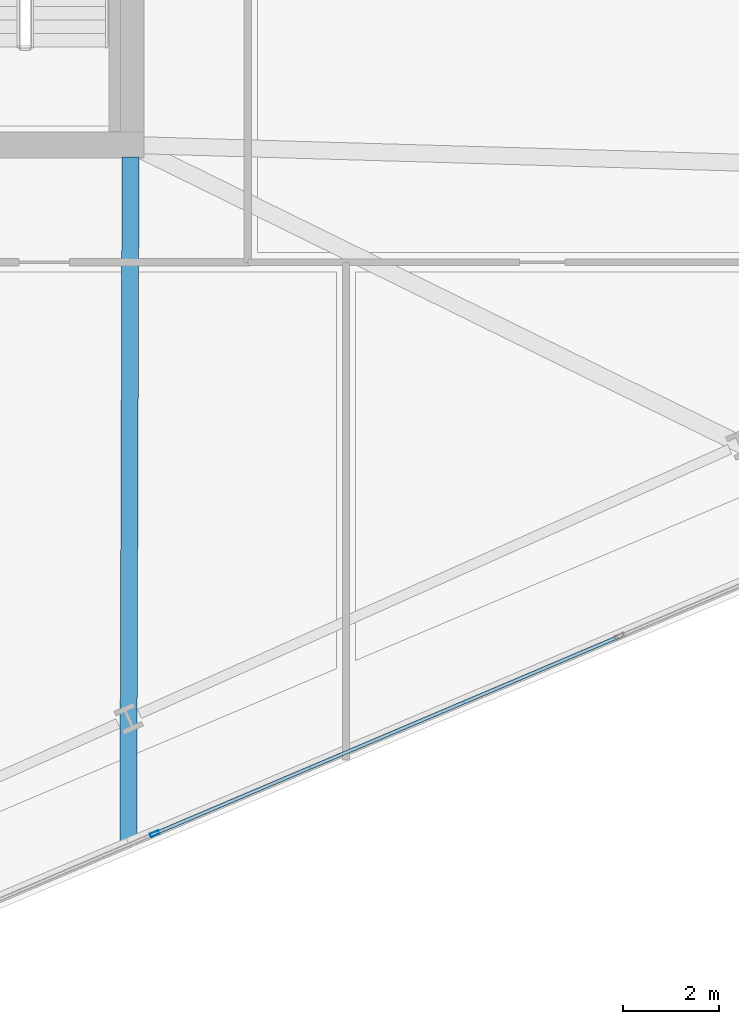
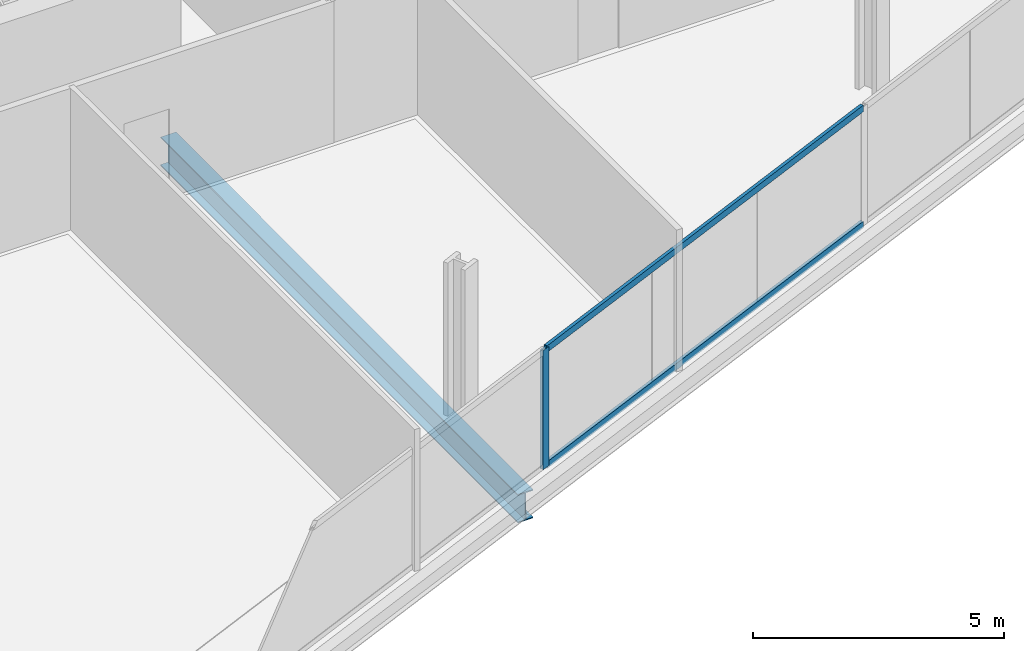
# One storey, part 8 of 34: 3 members, 1 beam, 1 element without a shape of its own.
"""IFC4 building model written with IfcOpenShell, lengths in metres."""

from ifc_helpers import new_model, si_unit, direction, frame, origin, origin_2d, place, context, subcontext, project, spatial, hollow_rectangle, i_section, extrude, material, material_profile, profile_set, type_object, element, aggregate, save


model = new_model("IFC4")

# Units and contexts
model_context = context("Model", 3, precision=1e-05, world=origin(), true_north=direction((0.0, 1.0)))
body_context = subcontext(model_context, "Body", "Model", "MODEL_VIEW")
ifc_project = project(units=[si_unit("LENGTHUNIT", "METRE"), si_unit("AREAUNIT", "SQUARE_METRE"), si_unit("VOLUMEUNIT", "CUBIC_METRE"), si_unit("PLANEANGLEUNIT", "RADIAN"), si_unit("MASSUNIT", "GRAM", prefix="KILO")], contexts=[model_context])

# Site, building, storey
site_placement = place(None, origin())
site = spatial("IfcSite", under=ifc_project, at=site_placement, CompositionType="ELEMENT")
building_placement = place(site_placement, origin())
building = spatial("IfcBuilding", under=site, at=building_placement, Name="Haldenkirk Collegiate Tower", CompositionType="ELEMENT")
storey_placement = place(building_placement, frame((0.0, 0.0, 105.449951171875)))
storey = spatial("IfcBuildingStorey", under=building, at=storey_placement, Name="L25", CompositionType="ELEMENT", Elevation=105.449951171875)

# Beam
ifc_material_1 = material(Name="Steel ASTM A992 Grade 50", Category="steel")
ifc_material_profile_1 = material_profile(ifc_material_1, i_section(OverallWidth=0.35498046875, OverallDepth=0.696044921875, WebThickness=0.015380859375, FlangeThickness=0.02490234375, at=origin_2d()), Name="W27X146")
ifc_profile_set_1 = profile_set([ifc_material_profile_1], Name="Steel ASTM A992 Grade 50")
beam_type = type_object("IfcBeamType", Name="BM-GIRDER-W27X146", PredefinedType="BEAM", material=ifc_profile_set_1)
beam_placement = place(storey_placement, frame((44.951171875, 3.422607421875, -0.64794921875), z_axis=(0.003340985359, 0.999994418893, 0.0), x_axis=(-0.999994418893, 0.003340985359, 0.0)))
element("IfcBeam", 1, at=beam_placement, inside=storey, type_object=beam_type, Name="L25 primary floor girder 06", PredefinedType="BEAM", context=body_context, shape_type="SweptSolid", body=[
    extrude(i_section(OverallWidth=0.35498046875, OverallDepth=0.696044921875, WebThickness=0.015380859375, FlangeThickness=0.02490234375, at=origin_2d()), origin(), (0.0, 0.0, 1.0), 14.322509765625),
])

# Curtain wall, members
ifc_material_2 = material(Name="Anodised architectural bronze aluminium", Category="aluminium")
curtain_wall_type = type_object("IfcCurtainWallType", Name="CW-SYS2-CONCAVE", PredefinedType="USERDEFINED", material=ifc_material_2)
curtain_wall_placement = place(storey_placement, origin())
curtain_wall = element("IfcCurtainWall", 2, at=curtain_wall_placement, inside=storey, type_object=curtain_wall_type, Name="L25 South concave recessed bronze-anodised curtain wall", ObjectType="UNITISED CURTAIN WALL", PredefinedType="USERDEFINED")
ifc_material_profile_2 = material_profile(ifc_material_2, hollow_rectangle(XDim=0.074951171875, YDim=0.18994140625, WallThickness=0.0048828125, at=origin_2d()), Name="CW-MUL-02")
ifc_profile_set_2 = profile_set([ifc_material_profile_2], Name="Anodised architectural bronze aluminium")
member_type_1 = type_object("IfcMemberType", Name="CW-MUL-02", PredefinedType="MULLION", material=ifc_profile_set_2)
member_1_placement = place(storey_placement, frame((45.502685546875, 3.61328125, 0.0), z_axis=(0.0, 0.0, 1.0), x_axis=(0.390730945162, -0.92050493127, 0.0)))
member_1 = element("IfcMember", 3, at=member_1_placement, type_object=member_type_1, Name="CW-02 mullion 3", PredefinedType="MULLION", context=body_context, shape_type="SweptSolid", body=[
    extrude(hollow_rectangle(XDim=0.074951171875, YDim=0.18994140625, WallThickness=0.0048828125, at=origin_2d()), origin(), (0.0, 0.0, 1.0), 2.901123046875),
])
ifc_material_profile_3 = material_profile(ifc_material_2, hollow_rectangle(XDim=0.074951171875, YDim=0.159912109375, WallThickness=0.0048828125, at=origin_2d()), Name="CW-TRN-02")
ifc_profile_set_3 = profile_set([ifc_material_profile_3], Name="Anodised architectural bronze aluminium")
member_type_2 = type_object("IfcMemberType", Name="CW-TRN-02", PredefinedType="USERDEFINED", material=ifc_profile_set_3)
member_2_placement = place(storey_placement, frame((55.179443359375, 7.720947265625, 0.03759765625), z_axis=(-0.920501775832, -0.390738378828, 0.0), x_axis=(0.390738378828, -0.920501775832, 0.0)))
member_2 = element("IfcMember", 4, at=member_2_placement, type_object=member_type_2, Name="CW-02 transom 2.1", ObjectType="TRANSOM", PredefinedType="USERDEFINED", context=body_context, shape_type="SweptSolid", body=[
    extrude(hollow_rectangle(XDim=0.074951171875, YDim=0.159912109375, WallThickness=0.0048828125, at=origin_2d()), origin(), (0.0, 0.0, 1.0), 10.47509765625),
])
member_3_placement = place(storey_placement, frame((55.179443359375, 7.720947265625, 2.863525390625), z_axis=(-0.920501775832, -0.390738378828, 0.0), x_axis=(0.390738378828, -0.920501775832, 0.0)))
member_3 = element("IfcMember", 5, at=member_3_placement, type_object=member_type_2, Name="CW-02 transom 2.2", ObjectType="TRANSOM", PredefinedType="USERDEFINED", context=body_context, shape_type="SweptSolid", body=[
    extrude(hollow_rectangle(XDim=0.074951171875, YDim=0.159912109375, WallThickness=0.0048828125, at=origin_2d()), origin(), (0.0, 0.0, 1.0), 10.47509765625),
])
aggregate(curtain_wall, [member_1, member_2, member_3])

save(model, "model.ifc")
